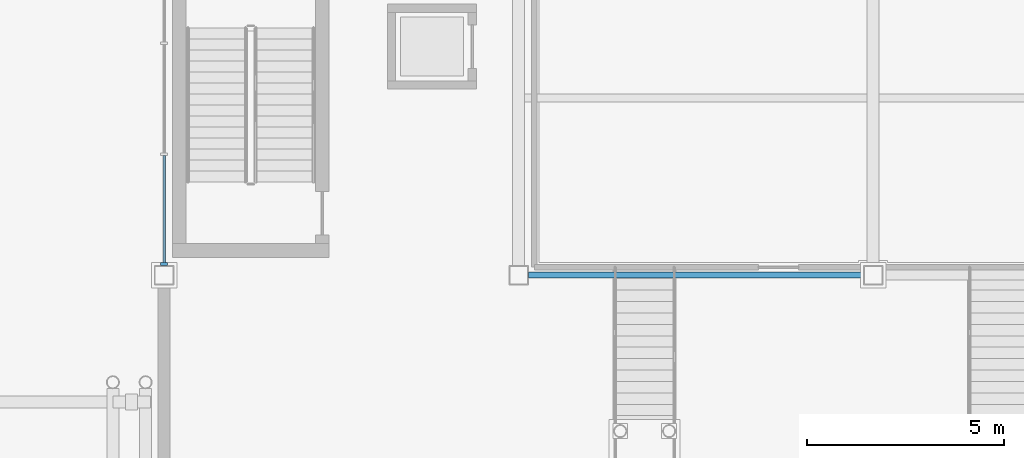
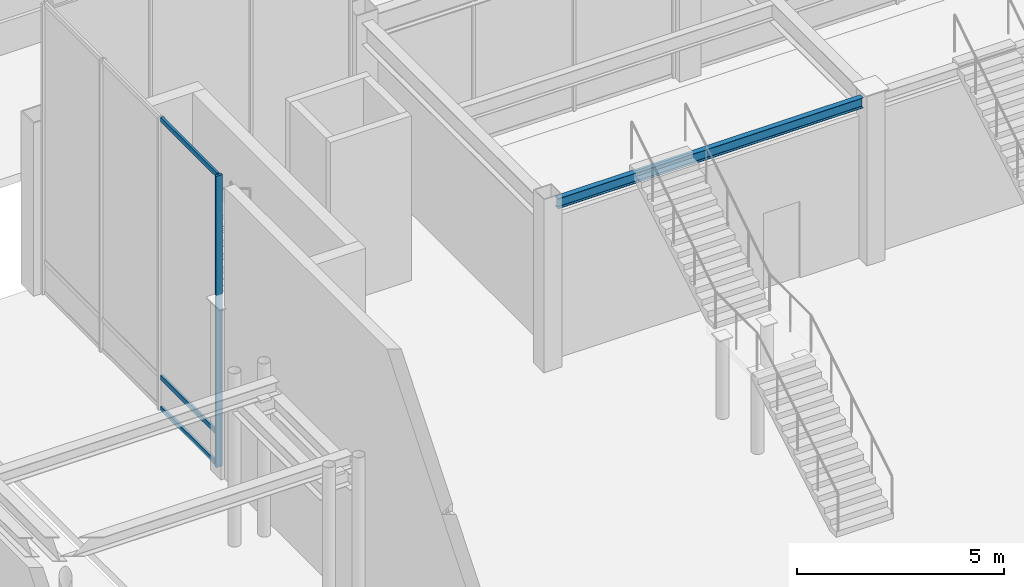
# One storey, part 35 of 123: 4 members, 1 beam, 1 element without a shape of its own.
"""IFC4 building model written with IfcOpenShell, lengths in metres."""

import ifcopenshell
import ifcopenshell.guid

model = None  # the IFC model being written
_history = None  # IfcOwnerHistory: only IFC2X3 demands one
_inside = {}  # id of a spatial element -> (the spatial element, [elements in it])
_under = {}  # id of a project, library or spatial element -> (it, [spatial elements below it])
_declared = {}  # id of a project -> (the project, [libraries it declares])
_typed = {}  # id of a type object -> (the type object, [elements of that type])
_made_of = {}  # id of a material, layer set ... -> (it, [elements and type objects made of it])


def new_model(schema):
    """Start an empty IFC model of exactly this schema.

    Asked for "IFC4X3", IfcOpenShell would pick the latest addendum, in which some entities
    have other attributes; the version numbers below select the first issue.
    IFC2X3 requires an IfcOwnerHistory on every rooted entity: one is made here for all.
    """
    global model, _history
    if schema == "IFC4X3":
        model = ifcopenshell.file(schema_version=(4, 3, 0, 0))
    else:
        model = ifcopenshell.file(schema=schema)
    _inside.clear()
    _under.clear()
    _declared.clear()
    _typed.clear()
    _made_of.clear()
    _history = None
    if model.schema == "IFC2X3":
        org = make("IfcOrganization", Name="unknown")
        user = make(
            "IfcPersonAndOrganization",
            ThePerson=make("IfcPerson", FamilyName="unknown"),
            TheOrganization=org,
        )
        app = make(
            "IfcApplication",
            ApplicationDeveloper=org,
            Version="unknown",
            ApplicationFullName="unknown",
            ApplicationIdentifier="unknown",
        )
        _history = make(
            "IfcOwnerHistory",
            OwningUser=user,
            OwningApplication=app,
            ChangeAction="ADDED",
            CreationDate=0,
        )
    return model


def make(cls, **values):
    """One entity of the class cls with the attributes given. An attribute that is None is left unset."""
    return model.create_entity(
        cls, **{name: value for name, value in values.items() if value is not None}
    )


def rooted(cls, **values):
    """An entity with a GlobalId (a new one), such as an element, a storey or a relation."""
    return make(cls, GlobalId=ifcopenshell.guid.new(), OwnerHistory=_history, **values)


def si_unit(unit_type, name, prefix=None):
    """IfcSIUnit, for example si_unit("LENGTHUNIT", "METRE", prefix="MILLI")."""
    return make("IfcSIUnit", UnitType=unit_type, Prefix=prefix, Name=name)


def assignment(units):
    """IfcUnitAssignment: the units of a project."""
    return None if units is None else make("IfcUnitAssignment", Units=units)


def point(xyz):
    """IfcCartesianPoint."""
    return None if xyz is None else make("IfcCartesianPoint", Coordinates=xyz)


def direction(xyz):
    """IfcDirection."""
    return None if xyz is None else make("IfcDirection", DirectionRatios=xyz)


def frame(location, z_axis=None, x_axis=None):
    """IfcAxis2Placement3D, a coordinate frame: its origin and axes. An axis left out is left unset."""
    return make(
        "IfcAxis2Placement3D",
        Location=point(location),
        Axis=direction(z_axis),
        RefDirection=direction(x_axis),
    )


def frame_2d(location, x_axis=None):
    """IfcAxis2Placement2D, a coordinate frame in the plane: its origin and x axis."""
    return make(
        "IfcAxis2Placement2D", Location=point(location), RefDirection=direction(x_axis)
    )


def origin():
    """The frame at (0, 0, 0) with its axes left unset."""
    return frame((0.0, 0.0, 0.0))


def origin_2d():
    """The frame at (0, 0) in the plane with its x axis left unset."""
    return frame_2d((0.0, 0.0))


def place(relative_to, where):
    """IfcLocalPlacement: puts the frame where relative to a parent placement (None: the world)."""
    return make(
        "IfcLocalPlacement", PlacementRelTo=relative_to, RelativePlacement=where
    )


def context(
    kind, dimensions, precision=None, world=None, true_north=None, identifier=None
):
    """IfcGeometricRepresentationContext, for example the 3D "Model" context."""
    return make(
        "IfcGeometricRepresentationContext",
        ContextIdentifier=identifier,
        ContextType=kind,
        CoordinateSpaceDimension=dimensions,
        Precision=precision,
        WorldCoordinateSystem=world,
        TrueNorth=true_north,
    )


def subcontext(parent, identifier, kind, view, scale=None):
    """IfcGeometricRepresentationSubContext, for example "Body" below "Model"."""
    return make(
        "IfcGeometricRepresentationSubContext",
        ContextIdentifier=identifier,
        ContextType=kind,
        ParentContext=parent,
        TargetScale=scale,
        TargetView=view,
    )


def project(units=None, contexts=None):
    """IfcProject with its units and contexts."""
    return rooted(
        "IfcProject",
        Name="project",
        RepresentationContexts=contexts,
        UnitsInContext=assignment(units),
    )


def spatial(cls, under=None, at=None, **own):
    """A site, building, storey or space (cls), placed at a placement, below another one or the project."""
    s = rooted(cls, ObjectPlacement=at, **own)
    if under is not None:
        _under.setdefault(under.id(), (under, []))[1].append(s)
    return s


def profile(cls, at=None, kind="AREA", **sizes):
    """A parametric profile (cls). Its sizes go by their IFC names, for example OverallWidth=200.0."""
    return make(cls, ProfileType=kind, Position=at, **sizes)


def rectangle(**sizes):
    """IfcRectangleProfileDef."""
    return profile("IfcRectangleProfileDef", **sizes)


def i_section(**sizes):
    """IfcIShapeProfileDef."""
    return profile("IfcIShapeProfileDef", **sizes)


def extrude(swept, where, along, depth):
    """IfcExtrudedAreaSolid: the profile swept, set in the frame where, extruded along a direction by depth."""
    return make(
        "IfcExtrudedAreaSolid",
        SweptArea=swept,
        Position=where,
        ExtrudedDirection=direction(along),
        Depth=depth,
    )


def shape(context_of_items, identifier, shape_type, items):
    """IfcShapeRepresentation: the items that make up one representation, for example the "Body"."""
    return make(
        "IfcShapeRepresentation",
        ContextOfItems=context_of_items,
        RepresentationIdentifier=identifier,
        RepresentationType=shape_type,
        Items=items,
    )


def material(Name=None, Category=None):
    """IfcMaterial."""
    return make("IfcMaterial", Name=Name, Category=Category)


def material_profile(
    of_material, cross_section, Name=None, Category=None, Priority=None
):
    """IfcMaterialProfile: a cross section and its material."""
    return make(
        "IfcMaterialProfile",
        Name=Name,
        Material=of_material,
        Profile=cross_section,
        Priority=Priority,
        Category=Category,
    )


def profile_set(profiles, Name=None, composite=None):
    """IfcMaterialProfileSet."""
    return make(
        "IfcMaterialProfileSet",
        Name=Name,
        MaterialProfiles=profiles,
        CompositeProfile=composite,
    )


def made_of(thing, what):
    """Note that an element or type object is made of a material, layer set ...; save() writes the relation."""
    if what is not None:
        _made_of.setdefault(what.id(), (what, []))[1].append(thing)
    return thing


def type_object(cls, material=None, **own):
    """A type object (cls), such as IfcWallType, which elements share."""
    return made_of(rooted(cls, **own), material)


def element(
    cls,
    number,
    at=None,
    inside=None,
    cuts=None,
    type_object=None,
    material=None,
    context=None,
    identifier="Body",
    shape_type=None,
    held_by="IfcProductDefinitionShape",
    body=None,
    shapes=None,
    **own,
):
    """One element of the class cls, such as IfcWall. Its Tag is "e" and its number.

    at: its placement. inside: the storey or other place that contains it. cuts: it is an
    opening in that element (IfcRelVoidsElement). A single representation is given by context,
    identifier, shape_type and body (its items); several are given by shapes. held_by: the class
    of the entity that holds the representations. save() writes the other relations.
    """
    e = rooted(cls, Tag="e%d" % number, ObjectPlacement=at, **own)
    if body is not None:
        shapes = [shape(context, identifier, shape_type, body)]
    if shapes is not None:
        e.Representation = make(held_by, Representations=shapes)
    if inside is not None:
        _inside.setdefault(inside.id(), (inside, []))[1].append(e)
    if cuts is not None:
        rooted(
            "IfcRelVoidsElement", RelatingBuildingElement=cuts, RelatedOpeningElement=e
        )
    if type_object is not None:
        _typed.setdefault(type_object.id(), (type_object, []))[1].append(e)
    return made_of(e, material)


def aggregate(whole, parts):
    """IfcRelAggregates: a whole, such as a stair, and the parts it consists of."""
    return rooted("IfcRelAggregates", RelatingObject=whole, RelatedObjects=parts)


def save(model, path):
    """Write the relations noted so far, then the file.

    IfcRelAggregates (storeys below a building ...), IfcRelContainedInSpatialStructure (elements
    in a storey), IfcRelDefinesByType, IfcRelAssociatesMaterial and IfcRelDeclares: one each for
    every whole, place, type object, material and project.
    """
    for whole, parts in _under.values():
        aggregate(whole, parts)
    for where, things in _inside.values():
        rooted(
            "IfcRelContainedInSpatialStructure",
            RelatedElements=things,
            RelatingStructure=where,
        )
    for kind, things in _typed.values():
        rooted("IfcRelDefinesByType", RelatedObjects=things, RelatingType=kind)
    for what, things in _made_of.values():
        rooted("IfcRelAssociatesMaterial", RelatedObjects=things, RelatingMaterial=what)
    for by, libraries in _declared.values():
        rooted("IfcRelDeclares", RelatingContext=by, RelatedDefinitions=libraries)
    model.write(path)


model = new_model("IFC4")

# Units and contexts
model_context = context("Model", 3, precision=1e-05, world=origin(), true_north=direction((0.0, 1.0)))
body_context = subcontext(model_context, "Body", "Model", "MODEL_VIEW")
ifc_project = project(units=[si_unit("LENGTHUNIT", "METRE"), si_unit("AREAUNIT", "SQUARE_METRE"), si_unit("VOLUMEUNIT", "CUBIC_METRE"), si_unit("PLANEANGLEUNIT", "RADIAN"), si_unit("MASSUNIT", "GRAM", prefix="KILO")], contexts=[model_context])

# Site, building, storey
site_placement = place(None, origin())
site = spatial("IfcSite", under=ifc_project, at=site_placement, CompositionType="ELEMENT")
building_placement = place(site_placement, origin())
building = spatial("IfcBuilding", under=site, at=building_placement, Name="Suzunagisa Mobility Hub", CompositionType="ELEMENT")
storey_placement = place(building_placement, origin())
storey = spatial("IfcBuildingStorey", under=building, at=storey_placement, Name="L00", CompositionType="ELEMENT", Elevation=0.0)

# Curtain wall, members
ifc_material_1 = material(Name="Thermally Broken Anodized Aluminum and Low-E Glazing", Category="aluminium")
curtain_wall_type = type_object("IfcCurtainWallType", Name="Unitised Curtain Wall CW-34 8500x8600", PredefinedType="USERDEFINED", material=ifc_material_1)
curtain_wall_placement = place(storey_placement, origin())
curtain_wall = element("IfcCurtainWall", 1, at=curtain_wall_placement, inside=storey, type_object=curtain_wall_type, Name="L00 Unitised Curtain Wall CW-43", ObjectType="UNITISED CURTAIN WALL", PredefinedType="USERDEFINED")
ifc_material_2 = material(Name="Anodized Aluminum 6063-T6", Category="aluminium")
ifc_material_profile_1 = material_profile(ifc_material_2, rectangle(XDim=0.06494140625, YDim=0.139892578125, at=origin_2d()), Name="TRAN-65x140")
ifc_profile_set_1 = profile_set([ifc_material_profile_1], Name="Anodized Aluminum 6063-T6")
member_type_1 = type_object("IfcMemberType", Name="Curtain Wall Framing CM-01 TRAN-65x140", PredefinedType="USERDEFINED", material=ifc_profile_set_1)
member_1_placement = place(storey_placement, frame((45.0, 65.0361328125, 0.032470703125), z_axis=(0.0, -1.0, 0.0), x_axis=(1.0, 0.0, 0.0)))
member_1 = element("IfcMember", 2, at=member_1_placement, type_object=member_type_1, Name="Curtain Wall Transom 43-T3.1", ObjectType="TRANSOM", PredefinedType="USERDEFINED", context=body_context, shape_type="SweptSolid", body=[
    extrude(rectangle(XDim=0.06494140625, YDim=0.139892578125, at=origin_2d()), origin(), (0.0, 0.0, 1.0), 2.72314453125),
])
member_2_placement = place(storey_placement, frame((45.0, 65.0361328125, 0.949951171875), z_axis=(0.0, -1.0, 0.0), x_axis=(1.0, 0.0, 0.0)))
member_2 = element("IfcMember", 3, at=member_2_placement, type_object=member_type_1, Name="Curtain Wall Transom 43-T3.2", ObjectType="TRANSOM", PredefinedType="USERDEFINED", context=body_context, shape_type="SweptSolid", body=[
    extrude(rectangle(XDim=0.06494140625, YDim=0.139892578125, at=origin_2d()), origin(), (0.0, 0.0, 1.0), 2.72314453125),
])
member_3_placement = place(storey_placement, frame((45.0, 65.0361328125, 8.547607421875), z_axis=(0.0, -1.0, 0.0), x_axis=(1.0, 0.0, 0.0)))
member_3 = element("IfcMember", 4, at=member_3_placement, type_object=member_type_1, Name="Curtain Wall Transom 43-T3.3", ObjectType="TRANSOM", PredefinedType="USERDEFINED", context=body_context, shape_type="SweptSolid", body=[
    extrude(rectangle(XDim=0.06494140625, YDim=0.139892578125, at=origin_2d()), origin(), (0.0, 0.0, 1.0), 2.72314453125),
])
ifc_material_profile_2 = material_profile(ifc_material_2, rectangle(XDim=0.06494140625, YDim=0.179931640625, at=origin_2d()), Name="MULL-65x180")
ifc_profile_set_2 = profile_set([ifc_material_profile_2], Name="Anodized Aluminum 6063-T6")
member_type_2 = type_object("IfcMemberType", Name="Curtain Wall Framing CM-04 MULL-65x180", PredefinedType="MULLION", material=ifc_profile_set_2)
member_4_placement = place(storey_placement, frame((45.0, 62.282470703125, 0.0), z_axis=(0.0, 0.0, 1.0), x_axis=(0.0, -1.0, 0.0)))
member_4 = element("IfcMember", 5, at=member_4_placement, type_object=member_type_2, Name="Curtain Wall Mullion 43-M4", PredefinedType="MULLION", context=body_context, shape_type="SweptSolid", body=[
    extrude(rectangle(XDim=0.06494140625, YDim=0.179931640625, at=origin_2d()), origin(), (0.0, 0.0, 1.0), 8.580078125),
])
aggregate(curtain_wall, [member_4, member_1, member_2, member_3])

# Beam
ifc_material_3 = material(Name="Steel SN400B", Category="steel")
ifc_material_profile_3 = material_profile(ifc_material_3, i_section(OverallWidth=0.14990234375, OverallDepth=0.300048828125, WebThickness=0.006591796875, FlangeThickness=0.009033203125, FilletRadius=0.008056640625, at=origin_2d()), Name="H-300x150x6.5x9")
ifc_profile_set_3 = profile_set([ifc_material_profile_3], Name="Steel SN400B")
beam_type = type_object("IfcBeamType", Name="Steel Beam BM-08 H-300x150x6.5x9", PredefinedType="LINTEL", material=ifc_profile_set_3)
beam_placement = place(storey_placement, frame((54.24609375, 62.0, 4.699951171875), z_axis=(1.0, 0.0, 0.0), x_axis=(0.0, 1.0, 0.0)))
element("IfcBeam", 6, at=beam_placement, inside=storey, type_object=beam_type, Name="L00 Primary Girder GX-388", PredefinedType="LINTEL", context=body_context, shape_type="SweptSolid", body=[
    extrude(i_section(OverallWidth=0.14990234375, OverallDepth=0.300048828125, WebThickness=0.006591796875, FlangeThickness=0.009033203125, FilletRadius=0.008056640625, at=origin_2d()), origin(), (0.0, 0.0, 1.0), 8.5078125),
])

save(model, "model.ifc")
